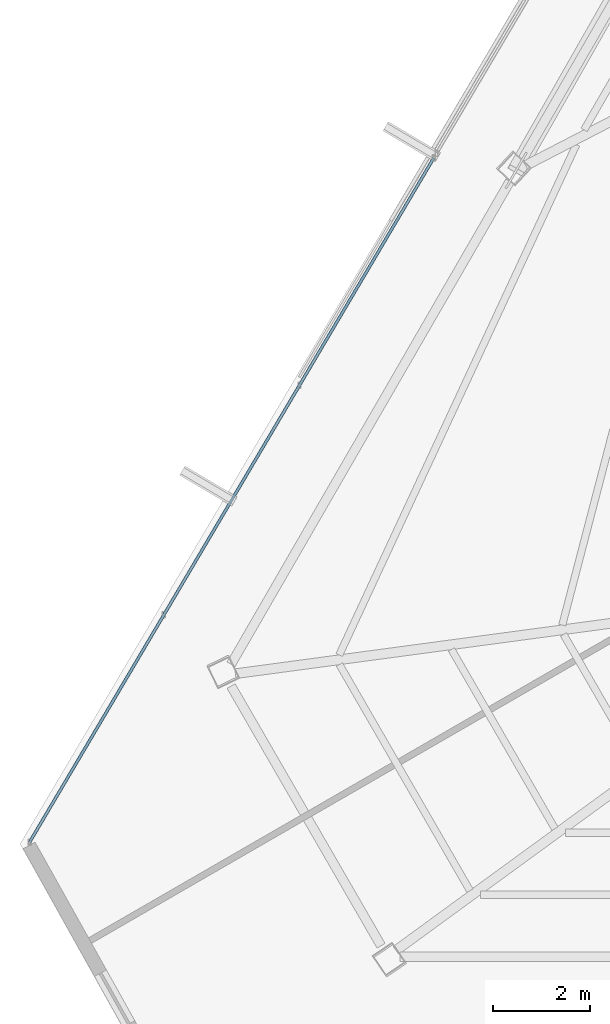
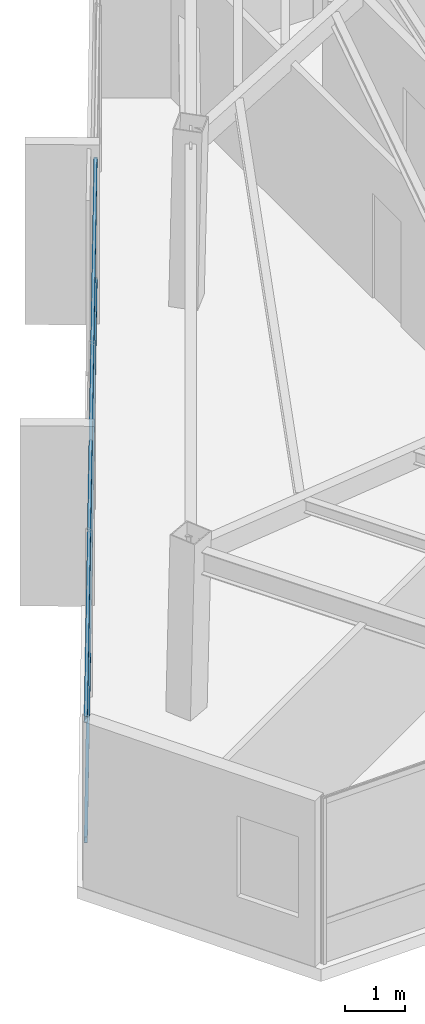
# One storey, part 8 of 45: 2 members, 1 element without a shape of its own.
"""IFC4 building model written with IfcOpenShell, lengths in metres."""

import ifcopenshell
import ifcopenshell.guid

model = None  # the IFC model being written
_history = None  # IfcOwnerHistory: only IFC2X3 demands one
_inside = {}  # id of a spatial element -> (the spatial element, [elements in it])
_under = {}  # id of a project, library or spatial element -> (it, [spatial elements below it])
_declared = {}  # id of a project -> (the project, [libraries it declares])
_typed = {}  # id of a type object -> (the type object, [elements of that type])
_made_of = {}  # id of a material, layer set ... -> (it, [elements and type objects made of it])


def new_model(schema):
    """Start an empty IFC model of exactly this schema.

    Asked for "IFC4X3", IfcOpenShell would pick the latest addendum, in which some entities
    have other attributes; the version numbers below select the first issue.
    IFC2X3 requires an IfcOwnerHistory on every rooted entity: one is made here for all.
    """
    global model, _history
    if schema == "IFC4X3":
        model = ifcopenshell.file(schema_version=(4, 3, 0, 0))
    else:
        model = ifcopenshell.file(schema=schema)
    _inside.clear()
    _under.clear()
    _declared.clear()
    _typed.clear()
    _made_of.clear()
    _history = None
    if model.schema == "IFC2X3":
        org = make("IfcOrganization", Name="unknown")
        user = make(
            "IfcPersonAndOrganization",
            ThePerson=make("IfcPerson", FamilyName="unknown"),
            TheOrganization=org,
        )
        app = make(
            "IfcApplication",
            ApplicationDeveloper=org,
            Version="unknown",
            ApplicationFullName="unknown",
            ApplicationIdentifier="unknown",
        )
        _history = make(
            "IfcOwnerHistory",
            OwningUser=user,
            OwningApplication=app,
            ChangeAction="ADDED",
            CreationDate=0,
        )
    return model


def make(cls, **values):
    """One entity of the class cls with the attributes given. An attribute that is None is left unset."""
    return model.create_entity(
        cls, **{name: value for name, value in values.items() if value is not None}
    )


def rooted(cls, **values):
    """An entity with a GlobalId (a new one), such as an element, a storey or a relation."""
    return make(cls, GlobalId=ifcopenshell.guid.new(), OwnerHistory=_history, **values)


def si_unit(unit_type, name, prefix=None):
    """IfcSIUnit, for example si_unit("LENGTHUNIT", "METRE", prefix="MILLI")."""
    return make("IfcSIUnit", UnitType=unit_type, Prefix=prefix, Name=name)


def assignment(units):
    """IfcUnitAssignment: the units of a project."""
    return None if units is None else make("IfcUnitAssignment", Units=units)


def point(xyz):
    """IfcCartesianPoint."""
    return None if xyz is None else make("IfcCartesianPoint", Coordinates=xyz)


def direction(xyz):
    """IfcDirection."""
    return None if xyz is None else make("IfcDirection", DirectionRatios=xyz)


def frame(location, z_axis=None, x_axis=None):
    """IfcAxis2Placement3D, a coordinate frame: its origin and axes. An axis left out is left unset."""
    return make(
        "IfcAxis2Placement3D",
        Location=point(location),
        Axis=direction(z_axis),
        RefDirection=direction(x_axis),
    )


def frame_2d(location, x_axis=None):
    """IfcAxis2Placement2D, a coordinate frame in the plane: its origin and x axis."""
    return make(
        "IfcAxis2Placement2D", Location=point(location), RefDirection=direction(x_axis)
    )


def origin():
    """The frame at (0, 0, 0) with its axes left unset."""
    return frame((0.0, 0.0, 0.0))


def origin_2d():
    """The frame at (0, 0) in the plane with its x axis left unset."""
    return frame_2d((0.0, 0.0))


def place(relative_to, where):
    """IfcLocalPlacement: puts the frame where relative to a parent placement (None: the world)."""
    return make(
        "IfcLocalPlacement", PlacementRelTo=relative_to, RelativePlacement=where
    )


def context(
    kind, dimensions, precision=None, world=None, true_north=None, identifier=None
):
    """IfcGeometricRepresentationContext, for example the 3D "Model" context."""
    return make(
        "IfcGeometricRepresentationContext",
        ContextIdentifier=identifier,
        ContextType=kind,
        CoordinateSpaceDimension=dimensions,
        Precision=precision,
        WorldCoordinateSystem=world,
        TrueNorth=true_north,
    )


def subcontext(parent, identifier, kind, view, scale=None):
    """IfcGeometricRepresentationSubContext, for example "Body" below "Model"."""
    return make(
        "IfcGeometricRepresentationSubContext",
        ContextIdentifier=identifier,
        ContextType=kind,
        ParentContext=parent,
        TargetScale=scale,
        TargetView=view,
    )


def project(units=None, contexts=None):
    """IfcProject with its units and contexts."""
    return rooted(
        "IfcProject",
        Name="project",
        RepresentationContexts=contexts,
        UnitsInContext=assignment(units),
    )


def spatial(cls, under=None, at=None, **own):
    """A site, building, storey or space (cls), placed at a placement, below another one or the project."""
    s = rooted(cls, ObjectPlacement=at, **own)
    if under is not None:
        _under.setdefault(under.id(), (under, []))[1].append(s)
    return s


def profile(cls, at=None, kind="AREA", **sizes):
    """A parametric profile (cls). Its sizes go by their IFC names, for example OverallWidth=200.0."""
    return make(cls, ProfileType=kind, Position=at, **sizes)


def hollow_rectangle(**sizes):
    """IfcRectangleHollowProfileDef."""
    return profile("IfcRectangleHollowProfileDef", **sizes)


def extrude(swept, where, along, depth):
    """IfcExtrudedAreaSolid: the profile swept, set in the frame where, extruded along a direction by depth."""
    return make(
        "IfcExtrudedAreaSolid",
        SweptArea=swept,
        Position=where,
        ExtrudedDirection=direction(along),
        Depth=depth,
    )


def shape(context_of_items, identifier, shape_type, items):
    """IfcShapeRepresentation: the items that make up one representation, for example the "Body"."""
    return make(
        "IfcShapeRepresentation",
        ContextOfItems=context_of_items,
        RepresentationIdentifier=identifier,
        RepresentationType=shape_type,
        Items=items,
    )


def source(mapping_origin, context_of_items, identifier, shape_type, items):
    """IfcRepresentationMap: a shape defined once, which mapped items show again and again."""
    return make(
        "IfcRepresentationMap",
        MappingOrigin=mapping_origin,
        MappedRepresentation=shape(context_of_items, identifier, shape_type, items),
    )


def transform(
    local_origin,
    x_axis=None,
    y_axis=None,
    z_axis=None,
    scale=None,
    scale2=None,
    scale3=None,
    uniform=True,
):
    """IfcCartesianTransformationOperator3D, or its non-uniform kind. x_axis, y_axis, z_axis: its Axis1, 2, 3."""
    if uniform:
        return make(
            "IfcCartesianTransformationOperator3D",
            Axis1=direction(x_axis),
            Axis2=direction(y_axis),
            LocalOrigin=point(local_origin),
            Scale=scale,
            Axis3=direction(z_axis),
        )
    return make(
        "IfcCartesianTransformationOperator3DnonUniform",
        Axis1=direction(x_axis),
        Axis2=direction(y_axis),
        LocalOrigin=point(local_origin),
        Scale=scale,
        Axis3=direction(z_axis),
        Scale2=scale2,
        Scale3=scale3,
    )


def mapped(mapping_source, mapping_target):
    """IfcMappedItem: shows the shape of a source again, moved by a transform."""
    return make(
        "IfcMappedItem", MappingSource=mapping_source, MappingTarget=mapping_target
    )


def material(Name=None, Category=None):
    """IfcMaterial."""
    return make("IfcMaterial", Name=Name, Category=Category)


def material_profile(
    of_material, cross_section, Name=None, Category=None, Priority=None
):
    """IfcMaterialProfile: a cross section and its material."""
    return make(
        "IfcMaterialProfile",
        Name=Name,
        Material=of_material,
        Profile=cross_section,
        Priority=Priority,
        Category=Category,
    )


def profile_set(profiles, Name=None, composite=None):
    """IfcMaterialProfileSet."""
    return make(
        "IfcMaterialProfileSet",
        Name=Name,
        MaterialProfiles=profiles,
        CompositeProfile=composite,
    )


def made_of(thing, what):
    """Note that an element or type object is made of a material, layer set ...; save() writes the relation."""
    if what is not None:
        _made_of.setdefault(what.id(), (what, []))[1].append(thing)
    return thing


def type_object(cls, material=None, **own):
    """A type object (cls), such as IfcWallType, which elements share."""
    return made_of(rooted(cls, **own), material)


def type_shapes(of_type, sources):
    """Give a type object the sources (RepresentationMaps) that its elements show as mapped items."""
    of_type.RepresentationMaps = sources


def element(
    cls,
    number,
    at=None,
    inside=None,
    cuts=None,
    type_object=None,
    material=None,
    context=None,
    identifier="Body",
    shape_type=None,
    held_by="IfcProductDefinitionShape",
    body=None,
    shapes=None,
    **own,
):
    """One element of the class cls, such as IfcWall. Its Tag is "e" and its number.

    at: its placement. inside: the storey or other place that contains it. cuts: it is an
    opening in that element (IfcRelVoidsElement). A single representation is given by context,
    identifier, shape_type and body (its items); several are given by shapes. held_by: the class
    of the entity that holds the representations. save() writes the other relations.
    """
    e = rooted(cls, Tag="e%d" % number, ObjectPlacement=at, **own)
    if body is not None:
        shapes = [shape(context, identifier, shape_type, body)]
    if shapes is not None:
        e.Representation = make(held_by, Representations=shapes)
    if inside is not None:
        _inside.setdefault(inside.id(), (inside, []))[1].append(e)
    if cuts is not None:
        rooted(
            "IfcRelVoidsElement", RelatingBuildingElement=cuts, RelatedOpeningElement=e
        )
    if type_object is not None:
        _typed.setdefault(type_object.id(), (type_object, []))[1].append(e)
    return made_of(e, material)


def aggregate(whole, parts):
    """IfcRelAggregates: a whole, such as a stair, and the parts it consists of."""
    return rooted("IfcRelAggregates", RelatingObject=whole, RelatedObjects=parts)


def save(model, path):
    """Write the relations noted so far, then the file.

    IfcRelAggregates (storeys below a building ...), IfcRelContainedInSpatialStructure (elements
    in a storey), IfcRelDefinesByType, IfcRelAssociatesMaterial and IfcRelDeclares: one each for
    every whole, place, type object, material and project.
    """
    for whole, parts in _under.values():
        aggregate(whole, parts)
    for where, things in _inside.values():
        rooted(
            "IfcRelContainedInSpatialStructure",
            RelatedElements=things,
            RelatingStructure=where,
        )
    for kind, things in _typed.values():
        rooted("IfcRelDefinesByType", RelatedObjects=things, RelatingType=kind)
    for what, things in _made_of.values():
        rooted("IfcRelAssociatesMaterial", RelatedObjects=things, RelatingMaterial=what)
    for by, libraries in _declared.values():
        rooted("IfcRelDeclares", RelatingContext=by, RelatedDefinitions=libraries)
    model.write(path)


model = new_model("IFC4")

# Units and contexts
model_context = context("Model", 3, precision=1e-05, world=origin(), true_north=direction((0.0, 1.0)))
body_context = subcontext(model_context, "Body", "Model", "MODEL_VIEW")
ifc_project = project(units=[si_unit("LENGTHUNIT", "METRE"), si_unit("AREAUNIT", "SQUARE_METRE"), si_unit("VOLUMEUNIT", "CUBIC_METRE"), si_unit("PLANEANGLEUNIT", "RADIAN"), si_unit("MASSUNIT", "GRAM", prefix="KILO")], contexts=[model_context])

# Site, building, storey
site_placement = place(None, origin())
site = spatial("IfcSite", under=ifc_project, at=site_placement, CompositionType="ELEMENT")
building_placement = place(site_placement, origin())
building = spatial("IfcBuilding", under=site, at=building_placement, Name="Caelisora Broadcast Tower", CompositionType="ELEMENT")
storey_placement = place(building_placement, frame((0.0, 0.0, 273.64990234375)))
storey = spatial("IfcBuildingStorey", under=building, at=storey_placement, Name="L72", CompositionType="ELEMENT", Elevation=273.64990234375)

# Curtain wall, members
ifc_material_1 = material(Name="Unitised Aluminium and Low-E Glass Curtain Wall", Category="glass")
curtain_wall_type = type_object("IfcCurtainWallType", Name="CW-Z5", PredefinedType="NOTDEFINED", material=ifc_material_1)
curtain_wall_placement = place(storey_placement, origin())
curtain_wall = element("IfcCurtainWall", 1, at=curtain_wall_placement, inside=storey, type_object=curtain_wall_type, Name="L72 curtain wall CW-Z5", PredefinedType="NOTDEFINED")
ifc_material_2 = material(Name="Aluminium 6063-T6 Anodised Terracotta Bronze", Category="aluminium")
ifc_material_profile = material_profile(ifc_material_2, hollow_rectangle(XDim=0.06005859375, YDim=0.1201171875, WallThickness=0.0029296875, at=origin_2d()), Name="Aluminium 6063-T6 Anodised Terracotta Bronze")
ifc_profile_set = profile_set([ifc_material_profile], Name="Aluminium 6063-T6 Anodised Terracotta Bronze")
member_type = type_object("IfcMemberType", Name="CWT-03", PredefinedType="USERDEFINED", material=ifc_profile_set)
shared_shape = source(origin(), body_context, "Body", "SweptSolid", [
    extrude(hollow_rectangle(XDim=0.06005859375, YDim=0.1201171875, WallThickness=0.0029296875, at=origin_2d()), origin(), (0.0, 0.0, 1.0), 16.360107421875),
])
type_shapes(member_type, [shared_shape])
member_1_placement = place(storey_placement, frame((12.640380859375, 12.10498046875, 0.85009765625), z_axis=(0.508600097033, 0.861002869506, 0.0), x_axis=(-0.861002869506, 0.508600097033, 0.0)))
member_1 = element("IfcMember", 2, at=member_1_placement, type_object=member_type, Name="L72-CW-B09 transom #1", ObjectType="TRANSOM", PredefinedType="USERDEFINED", context=body_context, shape_type="MappedRepresentation", body=[
    mapped(shared_shape, transform((0.0, 0.0, 0.0), scale=1.0)),
])
member_2_placement = place(storey_placement, frame((12.640380859375, 12.10498046875, 3.320068359375), z_axis=(0.508600097033, 0.861002869506, 0.0), x_axis=(-0.861002869506, 0.508600097033, 0.0)))
member_2 = element("IfcMember", 3, at=member_2_placement, type_object=member_type, Name="L72-CW-B09 transom #2", ObjectType="TRANSOM", PredefinedType="USERDEFINED", context=body_context, shape_type="MappedRepresentation", body=[
    mapped(shared_shape, transform((0.0, 0.0, 0.0), scale=1.0)),
])
aggregate(curtain_wall, [member_1, member_2])

save(model, "model.ifc")
